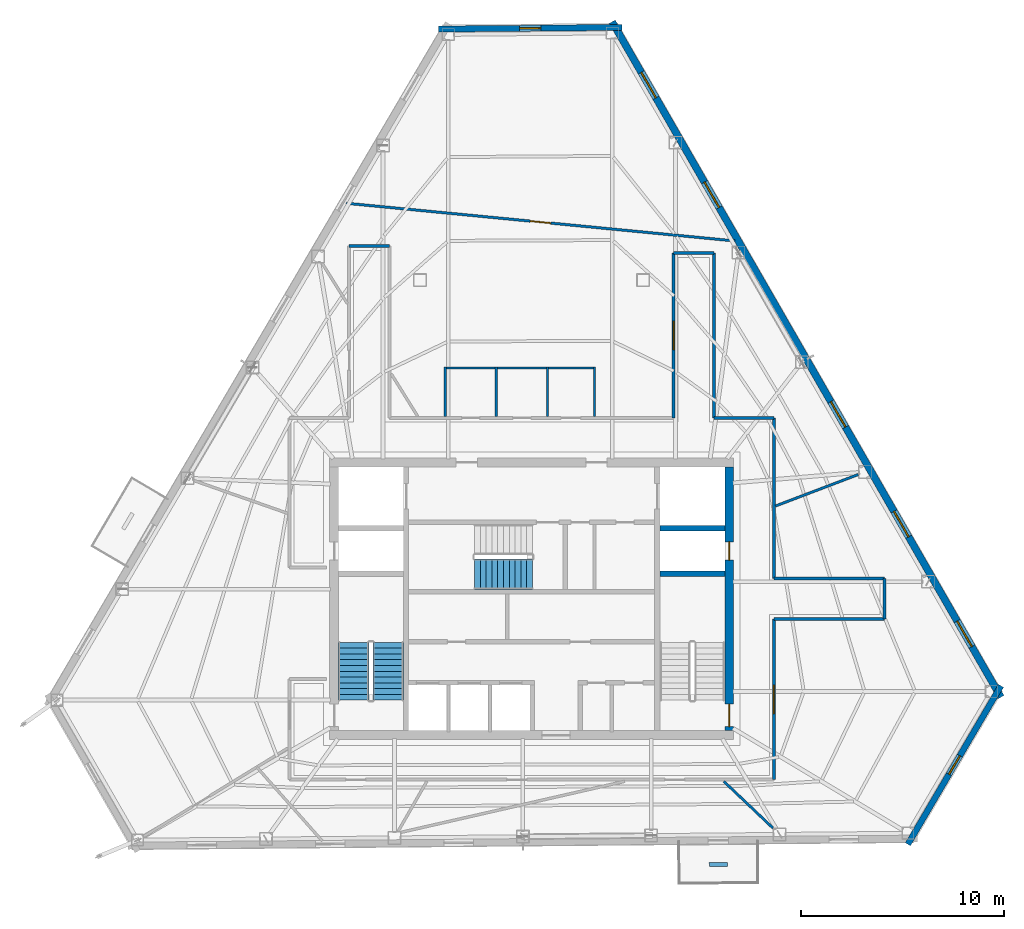
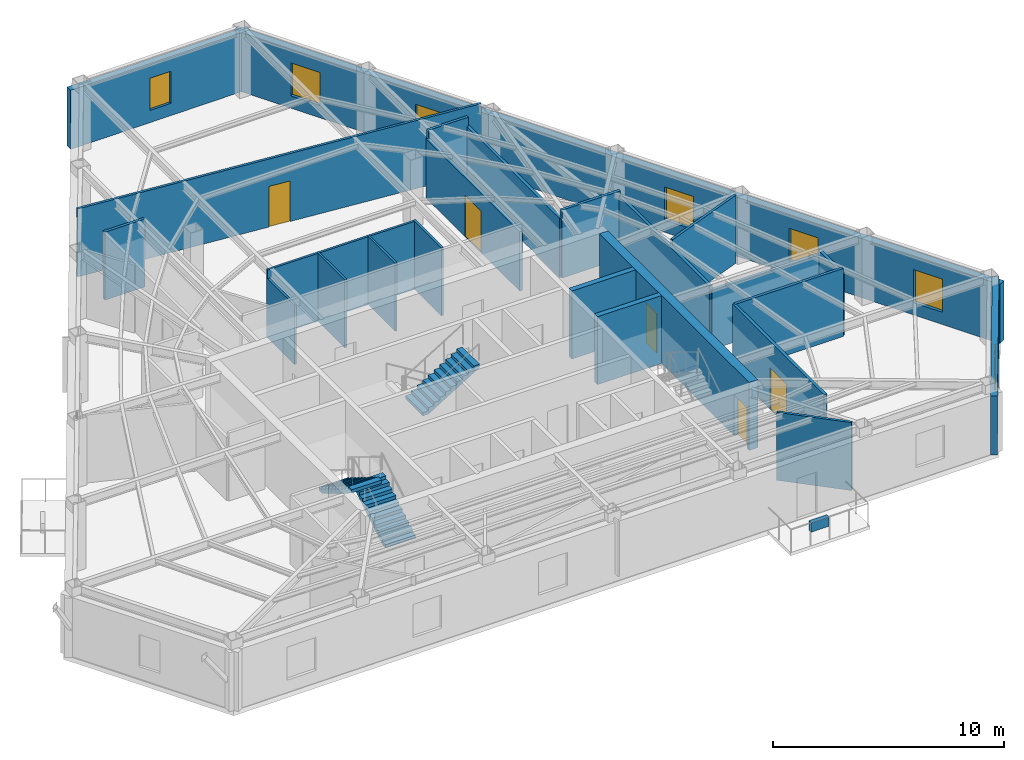
# One storey, part 10 of 14: 25 walls, 7 windows, 5 doors, 3 stair flights, 12 openings, 2 elements without a shape of their own.
"""IFC4 building model written with IfcOpenShell, lengths in metres."""

from ifc_helpers import new_model, si_unit, direction, frame, frame_2d, origin, place, context, subcontext, project, spatial, polyline, rectangle, outline, extrude, material, layer, layer_set, type_object, element, fill, aggregate, save


model = new_model("IFC4")

# Units and contexts
model_context = context("Model", 3, precision=1e-05, world=origin(), true_north=direction((0.0, 1.0)))
body_context = subcontext(model_context, "Body", "Model", "MODEL_VIEW")
ifc_project = project(units=[si_unit("LENGTHUNIT", "METRE"), si_unit("AREAUNIT", "SQUARE_METRE"), si_unit("VOLUMEUNIT", "CUBIC_METRE"), si_unit("PLANEANGLEUNIT", "RADIAN"), si_unit("MASSUNIT", "GRAM", prefix="KILO")], contexts=[model_context])

# Site, building, storey
site_placement = place(None, origin())
site = spatial("IfcSite", under=ifc_project, at=site_placement, CompositionType="ELEMENT")
building_placement = place(site_placement, origin())
building = spatial("IfcBuilding", under=site, at=building_placement, Name="Kavelnor Concourse Tower", CompositionType="ELEMENT")
storey_placement = place(building_placement, frame((0.0, 0.0, 215.050048828125)))
storey = spatial("IfcBuildingStorey", under=building, at=storey_placement, Name="L54", CompositionType="ELEMENT", Elevation=215.050048828125)

# Wall, openings, doors
ifc_material_1 = material(Name="Concrete C50/60", Category="concrete")
ifc_layer_1 = layer(ifc_material_1, 0.43994140625, Name="Concrete C50/60")
ifc_layer_set_1 = layer_set([ifc_layer_1], Name="Concrete C50/60")
wall_type_1 = type_object("IfcWallType", Name="WL-CORE-Z3-440", PredefinedType="SOLIDWALL", material=ifc_layer_set_1)
wall_1_placement = place(storey_placement, frame((47.739990234375, 9.60009765625, 0.0), z_axis=(0.0, 0.0, 1.0), x_axis=(0.0, 1.0, 0.0)))
wall_1 = element("IfcWall", 1, at=wall_1_placement, inside=storey, type_object=wall_type_1, Name="L54 Central Core East Shear Wall", PredefinedType="SOLIDWALL", context=body_context, shape_type="SweptSolid", body=[
    extrude(rectangle(XDim=13.0, YDim=0.43994140625, at=frame_2d((6.5, 0.0))), origin(), (0.0, 0.0, 1.0), 3.599853515625),
])
opening_1_placement = place(wall_1_placement, frame((0.199951171875, 0.0, 0.0)))
opening_1 = element("IfcOpeningElement", 2, at=opening_1_placement, cuts=wall_1, Name="Opening FD-110", PredefinedType="OPENING", context=body_context, shape_type="SweptSolid", body=[
    extrude(rectangle(XDim=1.10009765625, YDim=2.14990234375, at=frame_2d((0.550048828125, 1.074951171875))), frame((0.0, 0.22998046875, 0.0), z_axis=(0.0, -1.0, 0.0), x_axis=(1.0, 0.0, 0.0)), (0.0, 0.0, 1.0), 0.4599609375),
])
opening_2_placement = place(wall_1_placement, frame((8.39990234375, 0.0, 0.0)))
opening_2 = element("IfcOpeningElement", 3, at=opening_2_placement, cuts=wall_1, Name="Opening FD-090", PredefinedType="OPENING", context=body_context, shape_type="SweptSolid", body=[
    extrude(rectangle(XDim=0.89990234375, YDim=2.10009765625, at=frame_2d((0.449951171875, 1.050048828125))), frame((0.0, 0.22998046875, 0.0), z_axis=(0.0, -1.0, 0.0), x_axis=(1.0, 0.0, 0.0)), (0.0, 0.0, 1.0), 0.4599609375),
])
ifc_material_2 = material(Name="Steel Grade 350", Category="steel")
door_type_1 = type_object("IfcDoorType", Name="DR-RISER-FIRE-900", OperationType="NOTDEFINED", PredefinedType="DOOR", material=ifc_material_2)
door_1_placement = place(opening_2_placement, origin())
door_1 = element("IfcDoor", 4, at=door_1_placement, inside=storey, type_object=door_type_1, Name="L54 East Riser Access Door", OperationType="SINGLE_SWING_LEFT", OverallHeight=2.10009765625, OverallWidth=0.89990234375, PredefinedType="DOOR", context=body_context, shape_type="SweptSolid", body=[
    extrude(rectangle(XDim=0.89990234375, YDim=2.10009765625, at=frame_2d((0.449951171875, 1.050048828125))), frame((0.0, 0.02490234375, 0.0), z_axis=(0.0, -1.0, 0.0), x_axis=(1.0, 0.0, 0.0)), (0.0, 0.0, 1.0), 0.050048828125),
])
fill(opening_2, door_1)
door_type_2 = type_object("IfcDoorType", Name="DR-STAIR-FIRE-1100", OperationType="NOTDEFINED", PredefinedType="DOOR", material=ifc_material_2)
door_2_placement = place(opening_1_placement, origin())
door_2 = element("IfcDoor", 5, at=door_2_placement, inside=storey, type_object=door_type_2, Name="L54 Stair ST2 Fire Door", OperationType="SINGLE_SWING_RIGHT", OverallHeight=2.14990234375, OverallWidth=1.10009765625, PredefinedType="DOOR", context=body_context, shape_type="SweptSolid", body=[
    extrude(rectangle(XDim=1.10009765625, YDim=2.14990234375, at=frame_2d((0.550048828125, 1.074951171875))), frame((0.0, 0.02490234375, 0.0), z_axis=(0.0, -1.0, 0.0), x_axis=(1.0, 0.0, 0.0)), (0.0, 0.0, 1.0), 0.050048828125),
])
fill(opening_1, door_2)

# Wall, opening, window
ifc_material_3 = material(Name="Buff ironspot clay face brick masonry", Category="masonry")
ifc_layer_2 = layer(ifc_material_3, 0.300048828125, Name="Buff ironspot clay face brick masonry")
ifc_layer_set_2 = layer_set([ifc_layer_2], Name="Buff ironspot clay face brick masonry")
wall_type_2 = type_object("IfcWallType", Name="WL-EXT-BUFF-BRICK-FOLD-300", PredefinedType="STANDARD", material=ifc_layer_set_2)
wall_2_placement = place(storey_placement, frame((33.416015625, 44.182373046875, 0.0), z_axis=(0.0, 0.0, 1.0), x_axis=(0.99995953746, 0.008995745785, 0.0)))
wall_2 = element("IfcWall", 6, at=wall_2_placement, inside=storey, type_object=wall_type_2, Name="L54 Exterior Brick Facade Wall E0", PredefinedType="STANDARD", context=body_context, shape_type="SweptSolid", body=[
    extrude(rectangle(XDim=9.037353515625, YDim=0.300048828125, at=frame_2d((4.5185546875, 0.0))), origin(), (0.0, 0.0, 1.0), 3.1318359375),
])
opening_3_placement = place(wall_2_placement, frame((3.99365234375, 0.0, 0.64990234375)))
opening_3 = element("IfcOpeningElement", 7, at=opening_3_placement, cuts=wall_2, Name="Opening W-06", PredefinedType="OPENING", context=body_context, shape_type="SweptSolid", body=[
    extrude(rectangle(XDim=1.050048828125, YDim=1.699951171875, at=frame_2d((0.52490234375, 0.85009765625))), frame((0.0, 0.16015625, 0.0), z_axis=(0.0, -1.0, 0.0), x_axis=(1.0, 0.0, 0.0)), (0.0, 0.0, 1.0), 0.320068359375),
])
ifc_material_4 = material(Name="Double low-E argon insulated glazing", Category="glass")
window_type_1 = type_object("IfcWindowType", Name="WIN-FOLD-1050", PartitioningType="SINGLE_PANEL", PredefinedType="WINDOW", material=ifc_material_4)
window_1_placement = place(opening_3_placement, origin())
window_1 = element("IfcWindow", 8, at=window_1_placement, inside=storey, type_object=window_type_1, Name="L54 Chamfer-Fold Facet Window C0", OverallHeight=1.699951171875, OverallWidth=1.050048828125, PartitioningType="SINGLE_PANEL", PredefinedType="WINDOW", context=body_context, shape_type="SweptSolid", body=[
    extrude(rectangle(XDim=1.050048828125, YDim=1.699951171875, at=frame_2d((0.52490234375, 0.85009765625))), frame((0.0, 0.030029296875, 0.0), z_axis=(0.0, -1.0, 0.0), x_axis=(1.0, 0.0, 0.0)), (0.0, 0.0, 1.0), 0.06005859375),
])
fill(opening_3, window_1)

wall_3_placement = place(storey_placement, frame((61.13525390625, 11.806396484375, 0.0), z_axis=(0.0, 0.0, 1.0), x_axis=(-0.50666428223, -0.862143436507, 0.0)))
wall_3 = element("IfcWall", 9, at=wall_3_placement, inside=storey, type_object=wall_type_2, Name="L54 Exterior Brick Facade Wall E4", PredefinedType="STANDARD", context=body_context, shape_type="SweptSolid", body=[
    extrude(rectangle(XDim=9.05615234375, YDim=0.300048828125, at=frame_2d((4.528076171875, 0.0))), origin(), (0.0, 0.0, 1.0), 3.1318359375),
])
opening_4_placement = place(wall_3_placement, frame((4.003173828125, 0.0, 0.64990234375)))
opening_4 = element("IfcOpeningElement", 10, at=opening_4_placement, cuts=wall_3, Name="Opening W-06", PredefinedType="OPENING", context=body_context, shape_type="SweptSolid", body=[
    extrude(rectangle(XDim=1.050048828125, YDim=1.699951171875, at=frame_2d((0.52490234375, 0.85009765625))), frame((0.0, 0.16015625, 0.0), z_axis=(0.0, -1.0, 0.0), x_axis=(1.0, 0.0, 0.0)), (0.0, 0.0, 1.0), 0.320068359375),
])
window_2_placement = place(opening_4_placement, origin())
window_2 = element("IfcWindow", 11, at=window_2_placement, inside=storey, type_object=window_type_1, Name="L54 Chamfer-Fold Facet Window C2", OverallHeight=1.699951171875, OverallWidth=1.050048828125, PartitioningType="SINGLE_PANEL", PredefinedType="WINDOW", context=body_context, shape_type="SweptSolid", body=[
    extrude(rectangle(XDim=1.050048828125, YDim=1.699951171875, at=frame_2d((0.52490234375, 0.85009765625))), frame((0.0, 0.030029296875, 0.0), z_axis=(0.0, -1.0, 0.0), x_axis=(1.0, 0.0, 0.0)), (0.0, 0.0, 1.0), 0.06005859375),
])
fill(opening_4, window_2)

# Wall, openings, windows
ifc_material_5 = material(Name="Red-ochre clay face brick masonry", Category="masonry")
ifc_layer_3 = layer(ifc_material_5, 0.35009765625, Name="Red-ochre clay face brick masonry")
ifc_layer_set_3 = layer_set([ifc_layer_3], Name="Red-ochre clay face brick masonry")
wall_type_3 = type_object("IfcWallType", Name="WL-EXT-RED-BRICK-PIER-350", PredefinedType="STANDARD", material=ifc_layer_set_3)
wall_4_placement = place(storey_placement, frame((41.969482421875, 44.540283203125, 0.0), z_axis=(0.0, 0.0, 1.0), x_axis=(0.498884596562, -0.866668425243, 0.0)))
wall_4 = element("IfcWall", 12, at=wall_4_placement, inside=storey, type_object=wall_type_3, Name="L54 Exterior Brick Facade Wall E5", PredefinedType="STANDARD", context=body_context, shape_type="SweptSolid", body=[
    extrude(rectangle(XDim=38.412353515625, YDim=0.35009765625, at=frame_2d((19.2060546875, 0.0))), origin(), (0.0, 0.0, 1.0), 3.1318359375),
])
opening_5_placement = place(wall_4_placement, frame((34.087158203125, 0.0, 0.64990234375)))
opening_5 = element("IfcOpeningElement", 13, at=opening_5_placement, cuts=wall_4, Name="Opening W-03", PredefinedType="OPENING", context=body_context, shape_type="SweptSolid", body=[
    extrude(rectangle(XDim=1.449951171875, YDim=1.75, at=frame_2d((0.72509765625, 0.875))), frame((0.0, 0.18505859375, 0.0), z_axis=(0.0, -1.0, 0.0), x_axis=(1.0, 0.0, 0.0)), (0.0, 0.0, 1.0), 0.3701171875),
])
opening_6_placement = place(wall_4_placement, frame((27.844970703125, 0.0, 0.64990234375)))
opening_6 = element("IfcOpeningElement", 14, at=opening_6_placement, cuts=wall_4, Name="Opening W-03", PredefinedType="OPENING", context=body_context, shape_type="SweptSolid", body=[
    extrude(rectangle(XDim=1.449951171875, YDim=1.75, at=frame_2d((0.72509765625, 0.875))), frame((0.0, 0.18505859375, 0.0), z_axis=(0.0, -1.0, 0.0), x_axis=(1.0, 0.0, 0.0)), (0.0, 0.0, 1.0), 0.3701171875),
])
opening_7_placement = place(wall_4_placement, frame((21.602783203125, 0.0, 0.64990234375)))
opening_7 = element("IfcOpeningElement", 15, at=opening_7_placement, cuts=wall_4, Name="Opening W-03", PredefinedType="OPENING", context=body_context, shape_type="SweptSolid", body=[
    extrude(rectangle(XDim=1.449951171875, YDim=1.75, at=frame_2d((0.72509765625, 0.875))), frame((0.0, 0.18505859375, 0.0), z_axis=(0.0, -1.0, 0.0), x_axis=(1.0, 0.0, 0.0)), (0.0, 0.0, 1.0), 0.3701171875),
])
opening_8_placement = place(wall_4_placement, frame((9.11865234375, 0.0, 0.64990234375)))
opening_8 = element("IfcOpeningElement", 16, at=opening_8_placement, cuts=wall_4, Name="Opening W-03", PredefinedType="OPENING", context=body_context, shape_type="SweptSolid", body=[
    extrude(rectangle(XDim=1.449951171875, YDim=1.75, at=frame_2d((0.72509765625, 0.875))), frame((0.0, 0.18505859375, 0.0), z_axis=(0.0, -1.0, 0.0), x_axis=(1.0, 0.0, 0.0)), (0.0, 0.0, 1.0), 0.3701171875),
])
opening_9_placement = place(wall_4_placement, frame((2.87646484375, 0.0, 0.64990234375)))
opening_9 = element("IfcOpeningElement", 17, at=opening_9_placement, cuts=wall_4, Name="Opening W-03", PredefinedType="OPENING", context=body_context, shape_type="SweptSolid", body=[
    extrude(rectangle(XDim=1.449951171875, YDim=1.75, at=frame_2d((0.72509765625, 0.875))), frame((0.0, 0.18505859375, 0.0), z_axis=(0.0, -1.0, 0.0), x_axis=(1.0, 0.0, 0.0)), (0.0, 0.0, 1.0), 0.3701171875),
])
window_type_2 = type_object("IfcWindowType", Name="WIN-PIER-Z3-1500", PartitioningType="SINGLE_PANEL", PredefinedType="WINDOW", material=ifc_material_4)
window_3_placement = place(opening_5_placement, origin())
window_3 = element("IfcWindow", 18, at=window_3_placement, inside=storey, type_object=window_type_2, Name="L54 Deep-Set Brick Pier Window F2-B0", OverallHeight=1.75, OverallWidth=1.449951171875, PartitioningType="SINGLE_PANEL", PredefinedType="WINDOW", context=body_context, shape_type="SweptSolid", body=[
    extrude(rectangle(XDim=1.449951171875, YDim=1.75, at=frame_2d((0.72509765625, 0.875))), frame((0.0, 0.030029296875, 0.0), z_axis=(0.0, -1.0, 0.0), x_axis=(1.0, 0.0, 0.0)), (0.0, 0.0, 1.0), 0.06005859375),
])
fill(opening_5, window_3)
window_4_placement = place(opening_6_placement, origin())
window_4 = element("IfcWindow", 19, at=window_4_placement, inside=storey, type_object=window_type_2, Name="L54 Deep-Set Brick Pier Window F2-B1", OverallHeight=1.75, OverallWidth=1.449951171875, PartitioningType="SINGLE_PANEL", PredefinedType="WINDOW", context=body_context, shape_type="SweptSolid", body=[
    extrude(rectangle(XDim=1.449951171875, YDim=1.75, at=frame_2d((0.72509765625, 0.875))), frame((0.0, 0.030029296875, 0.0), z_axis=(0.0, -1.0, 0.0), x_axis=(1.0, 0.0, 0.0)), (0.0, 0.0, 1.0), 0.06005859375),
])
fill(opening_6, window_4)
window_5_placement = place(opening_7_placement, origin())
window_5 = element("IfcWindow", 20, at=window_5_placement, inside=storey, type_object=window_type_2, Name="L54 Deep-Set Brick Pier Window F2-B2", OverallHeight=1.75, OverallWidth=1.449951171875, PartitioningType="SINGLE_PANEL", PredefinedType="WINDOW", context=body_context, shape_type="SweptSolid", body=[
    extrude(rectangle(XDim=1.449951171875, YDim=1.75, at=frame_2d((0.72509765625, 0.875))), frame((0.0, 0.030029296875, 0.0), z_axis=(0.0, -1.0, 0.0), x_axis=(1.0, 0.0, 0.0)), (0.0, 0.0, 1.0), 0.06005859375),
])
fill(opening_7, window_5)
window_6_placement = place(opening_8_placement, origin())
window_6 = element("IfcWindow", 21, at=window_6_placement, inside=storey, type_object=window_type_2, Name="L54 Deep-Set Brick Pier Window F2-B4", OverallHeight=1.75, OverallWidth=1.449951171875, PartitioningType="SINGLE_PANEL", PredefinedType="WINDOW", context=body_context, shape_type="SweptSolid", body=[
    extrude(rectangle(XDim=1.449951171875, YDim=1.75, at=frame_2d((0.72509765625, 0.875))), frame((0.0, 0.030029296875, 0.0), z_axis=(0.0, -1.0, 0.0), x_axis=(1.0, 0.0, 0.0)), (0.0, 0.0, 1.0), 0.06005859375),
])
fill(opening_8, window_6)
window_7_placement = place(opening_9_placement, origin())
window_7 = element("IfcWindow", 22, at=window_7_placement, inside=storey, type_object=window_type_2, Name="L54 Deep-Set Brick Pier Window F2-B5", OverallHeight=1.75, OverallWidth=1.449951171875, PartitioningType="SINGLE_PANEL", PredefinedType="WINDOW", context=body_context, shape_type="SweptSolid", body=[
    extrude(rectangle(XDim=1.449951171875, YDim=1.75, at=frame_2d((0.72509765625, 0.875))), frame((0.0, 0.030029296875, 0.0), z_axis=(0.0, -1.0, 0.0), x_axis=(1.0, 0.0, 0.0)), (0.0, 0.0, 1.0), 0.06005859375),
])
fill(opening_9, window_7)

# Wall
ifc_material_6 = material(Name="Gypsum plasterboard on light-gauge steel studs", Category="steel")
ifc_layer_4 = layer(ifc_material_6, 0.14501953125, Name="Gypsum plasterboard on light-gauge steel studs")
ifc_layer_set_4 = layer_set([ifc_layer_4], Name="Gypsum plasterboard on light-gauge steel studs")
wall_type_4 = type_object("IfcWallType", Name="WL-INT-CORR-145", PredefinedType="PARTITIONING", material=ifc_layer_set_4)
wall_5_placement = place(storey_placement, frame((29.0, 33.49169921875, 0.0), z_axis=(0.0, 0.0, 1.0), x_axis=(1.0, 0.0, 0.0)))
element("IfcWall", 23, at=wall_5_placement, inside=storey, type_object=wall_type_4, Name="L54 Corridor Wall WL-L54-CR-05", PredefinedType="PARTITIONING", context=body_context, shape_type="SweptSolid", body=[
    extrude(rectangle(XDim=2.0, YDim=0.14501953125, at=frame_2d((1.0, 0.0))), origin(), (0.0, 0.0, 1.0), 3.599853515625),
])

# Wall, opening, door
wall_6_placement = place(storey_placement, frame((45.0, 25.02001953125, 0.0), z_axis=(0.0, 0.0, 1.0), x_axis=(0.0, 1.0, 0.0)))
wall_6 = element("IfcWall", 24, at=wall_6_placement, inside=storey, type_object=wall_type_4, Name="L54 Corridor Wall WL-L54-CR-08", PredefinedType="PARTITIONING", context=body_context, shape_type="SweptSolid", body=[
    extrude(rectangle(XDim=8.121826171875, YDim=0.14501953125, at=frame_2d((4.06103515625, 0.0))), origin(), (0.0, 0.0, 1.0), 3.140869140625),
])
opening_10_placement = place(wall_6_placement, frame((3.361083984375, 0.0, 0.0)))
opening_10 = element("IfcOpeningElement", 25, at=opening_10_placement, cuts=wall_6, Name="Opening SD-140", PredefinedType="OPENING", context=body_context, shape_type="SweptSolid", body=[
    extrude(rectangle(XDim=1.39990234375, YDim=2.199951171875, at=frame_2d((0.699951171875, 1.10009765625))), frame((0.0, 0.08251953125, 0.0), z_axis=(0.0, -1.0, 0.0), x_axis=(1.0, 0.0, 0.0)), (0.0, 0.0, 1.0), 0.1650390625),
])
ifc_material_7 = material(Name="Solid-core hardwood timber", Category="wood")
door_type_3 = type_object("IfcDoorType", Name="DR-SUITE-ENTRY-1400", OperationType="NOTDEFINED", PredefinedType="DOOR", material=ifc_material_7)
door_3_placement = place(opening_10_placement, origin())
door_3 = element("IfcDoor", 26, at=door_3_placement, inside=storey, type_object=door_type_3, Name="L54 Architectural Design Studio 01 Door", OperationType="SINGLE_SWING_RIGHT", OverallHeight=2.199951171875, OverallWidth=1.39990234375, PredefinedType="DOOR", context=body_context, shape_type="SweptSolid", body=[
    extrude(rectangle(XDim=1.39990234375, YDim=2.199951171875, at=frame_2d((0.699951171875, 1.10009765625))), frame((0.0, 0.02490234375, 0.0), z_axis=(0.0, -1.0, 0.0), x_axis=(1.0, 0.0, 0.0)), (0.0, 0.0, 1.0), 0.050048828125),
])
fill(opening_10, door_3)

# Walls
wall_7_placement = place(storey_placement, frame((45.0, 33.141845703125, 0.0), z_axis=(0.0, 0.0, 1.0), x_axis=(1.0, 0.0, 0.0)))
element("IfcWall", 27, at=wall_7_placement, inside=storey, type_object=wall_type_4, Name="L54 Corridor Wall WL-L54-CR-09", PredefinedType="PARTITIONING", context=body_context, shape_type="SweptSolid", body=[
    extrude(rectangle(XDim=2.0, YDim=0.14501953125, at=frame_2d((1.0, 0.0))), origin(), (0.0, 0.0, 1.0), 3.599853515625),
])
wall_8_placement = place(storey_placement, frame((47.0, 33.141845703125, 0.0), z_axis=(0.0, 0.0, 1.0), x_axis=(0.0, -1.0, 0.0)))
element("IfcWall", 28, at=wall_8_placement, inside=storey, type_object=wall_type_4, Name="L54 Corridor Wall WL-L54-CR-10", PredefinedType="PARTITIONING", context=body_context, shape_type="SweptSolid", body=[
    extrude(rectangle(XDim=8.121826171875, YDim=0.14501953125, at=frame_2d((4.06103515625, 0.0))), origin(), (0.0, 0.0, 1.0), 3.140869140625),
])
wall_9_placement = place(storey_placement, frame((47.0, 25.02001953125, 0.0), z_axis=(0.0, 0.0, 1.0), x_axis=(1.0, 0.0, 0.0)))
element("IfcWall", 29, at=wall_9_placement, inside=storey, type_object=wall_type_4, Name="L54 Corridor Wall WL-L54-CR-11", PredefinedType="PARTITIONING", context=body_context, shape_type="SweptSolid", body=[
    extrude(rectangle(XDim=2.93994140625, YDim=0.14501953125, at=frame_2d((1.469970703125, 0.0))), origin(), (0.0, 0.0, 1.0), 3.599853515625),
])
wall_10_placement = place(storey_placement, frame((49.93994140625, 25.02001953125, 0.0), z_axis=(0.0, 0.0, 1.0), x_axis=(0.0, -1.0, 0.0)))
element("IfcWall", 30, at=wall_10_placement, inside=storey, type_object=wall_type_4, Name="L54 Corridor Wall WL-L54-CR-12", PredefinedType="PARTITIONING", context=body_context, shape_type="SweptSolid", body=[
    extrude(rectangle(XDim=7.919921875, YDim=0.14501953125, at=frame_2d((3.9599609375, 0.0))), origin(), (0.0, 0.0, 1.0), 3.3388671875),
])
wall_11_placement = place(storey_placement, frame((49.93994140625, 17.10009765625, 0.0), z_axis=(0.0, 0.0, 1.0), x_axis=(1.0, 0.0, 0.0)))
element("IfcWall", 31, at=wall_11_placement, inside=storey, type_object=wall_type_4, Name="L54 Corridor Wall WL-L54-CR-13", PredefinedType="PARTITIONING", context=body_context, shape_type="SweptSolid", body=[
    extrude(rectangle(XDim=5.445556640625, YDim=0.14501953125, at=frame_2d((2.72265625, 0.0))), origin(), (0.0, 0.0, 1.0), 3.140869140625),
])
wall_12_placement = place(storey_placement, frame((55.385498046875, 17.10009765625, 0.0), z_axis=(0.0, 0.0, 1.0), x_axis=(0.0, -1.0, 0.0)))
element("IfcWall", 32, at=wall_12_placement, inside=storey, type_object=wall_type_4, Name="L54 Corridor Wall WL-L54-CR-14", PredefinedType="PARTITIONING", context=body_context, shape_type="SweptSolid", body=[
    extrude(rectangle(XDim=2.0, YDim=0.14501953125, at=frame_2d((1.0, 0.0))), origin(), (0.0, 0.0, 1.0), 3.3388671875),
])
wall_13_placement = place(storey_placement, frame((55.385498046875, 15.10009765625, 0.0), z_axis=(0.0, 0.0, 1.0), x_axis=(-1.0, 0.0, 0.0)))
element("IfcWall", 33, at=wall_13_placement, inside=storey, type_object=wall_type_4, Name="L54 Corridor Wall WL-L54-CR-15", PredefinedType="PARTITIONING", context=body_context, shape_type="SweptSolid", body=[
    extrude(rectangle(XDim=5.445556640625, YDim=0.14501953125, at=frame_2d((2.72265625, 0.0))), origin(), (0.0, 0.0, 1.0), 3.599853515625),
])

# Wall, opening, door
wall_14_placement = place(storey_placement, frame((49.93994140625, 15.10009765625, 0.0), z_axis=(0.0, 0.0, 1.0), x_axis=(0.0, -1.0, 0.0)))
wall_14 = element("IfcWall", 34, at=wall_14_placement, inside=storey, type_object=wall_type_4, Name="L54 Corridor Wall WL-L54-CR-16", PredefinedType="PARTITIONING", context=body_context, shape_type="SweptSolid", body=[
    extrude(rectangle(XDim=7.920166015625, YDim=0.14501953125, at=frame_2d((3.9599609375, 0.0))), origin(), (0.0, 0.0, 1.0), 3.599853515625),
])
opening_11_placement = place(wall_14_placement, frame((3.260009765625, 0.0, 0.0)))
opening_11 = element("IfcOpeningElement", 35, at=opening_11_placement, cuts=wall_14, Name="Opening SD-140", PredefinedType="OPENING", context=body_context, shape_type="SweptSolid", body=[
    extrude(rectangle(XDim=1.39990234375, YDim=2.199951171875, at=frame_2d((0.699951171875, 1.10009765625))), frame((0.0, 0.08251953125, 0.0), z_axis=(0.0, -1.0, 0.0), x_axis=(1.0, 0.0, 0.0)), (0.0, 0.0, 1.0), 0.1650390625),
])
door_4_placement = place(opening_11_placement, origin())
door_4 = element("IfcDoor", 36, at=door_4_placement, inside=storey, type_object=door_type_3, Name="L54 Architectural Design Studio 09 Door", OperationType="SINGLE_SWING_RIGHT", OverallHeight=2.199951171875, OverallWidth=1.39990234375, PredefinedType="DOOR", context=body_context, shape_type="SweptSolid", body=[
    extrude(rectangle(XDim=1.39990234375, YDim=2.199951171875, at=frame_2d((0.699951171875, 1.10009765625))), frame((0.0, 0.02490234375, 0.0), z_axis=(0.0, -1.0, 0.0), x_axis=(1.0, 0.0, 0.0)), (0.0, 0.0, 1.0), 0.050048828125),
])
fill(opening_11, door_4)

# Walls
ifc_layer_5 = layer(ifc_material_6, 0.125, Name="Gypsum plasterboard on light-gauge steel studs")
ifc_layer_set_5 = layer_set([ifc_layer_5], Name="Gypsum plasterboard on light-gauge steel studs")
wall_type_5 = type_object("IfcWallType", Name="WL-INT-SUITE-125", PredefinedType="PARTITIONING", material=ifc_layer_set_5)
wall_15_placement = place(storey_placement, frame((50.0205078125, 20.672119140625, 0.0), z_axis=(0.0, 0.0, 1.0), x_axis=(0.934674416755, 0.355504901039, 0.0)))
element("IfcWall", 37, at=wall_15_placement, inside=storey, type_object=wall_type_5, Name="L54 Radial Suite Partition 01", PredefinedType="PARTITIONING", context=body_context, shape_type="SweptSolid", body=[
    extrude(rectangle(XDim=4.368408203125, YDim=0.125, at=frame_2d((2.18408203125, 0.0))), origin(), (0.0, 0.0, 1.0), 3.599853515625),
])
wall_16_placement = place(storey_placement, frame((47.472412109375, 7.099609375, 0.0), z_axis=(0.0, 0.0, 1.0), x_axis=(0.724915551791, -0.688837747783, 0.0)))
element("IfcWall", 38, at=wall_16_placement, inside=storey, type_object=wall_type_5, Name="L54 Radial Suite Partition 06", PredefinedType="PARTITIONING", context=body_context, shape_type="SweptSolid", body=[
    extrude(rectangle(XDim=3.343017578125, YDim=0.125, at=frame_2d((1.67138671875, 0.0))), origin(), (0.0, 0.0, 1.0), 3.599853515625),
])

# Wall, opening, door
wall_17_placement = place(storey_placement, frame((48.015380859375, 33.736572265625, 0.0), z_axis=(0.0, 0.0, 1.0), x_axis=(-0.995325183531, 0.096580427779, 0.0)))
wall_17 = element("IfcWall", 39, at=wall_17_placement, inside=storey, type_object=wall_type_5, Name="L54 Suite Subdivision Partition 01", PredefinedType="PARTITIONING", context=body_context, shape_type="SweptSolid", body=[
    extrude(rectangle(XDim=19.244384765625, YDim=0.125, at=frame_2d((9.6220703125, 0.0))), origin(), (0.0, 0.0, 1.0), 3.599853515625),
])
opening_12_placement = place(wall_17_placement, frame((9.1123046875, 0.0, 0.0)))
opening_12 = element("IfcOpeningElement", 40, at=opening_12_placement, cuts=wall_17, Name="Opening MD-102", PredefinedType="OPENING", context=body_context, shape_type="SweptSolid", body=[
    extrude(rectangle(XDim=1.02001953125, YDim=2.14990234375, at=frame_2d((0.510009765625, 1.074951171875))), frame((0.0, 0.072509765625, 0.0), z_axis=(0.0, -1.0, 0.0), x_axis=(1.0, 0.0, 0.0)), (0.0, 0.0, 1.0), 0.14501953125),
])
ifc_material_8 = material(Name="Acoustic glazed timber frame", Category="wood")
door_type_4 = type_object("IfcDoorType", Name="DR-MEETING-1020", OperationType="NOTDEFINED", PredefinedType="DOOR", material=ifc_material_8)
door_5_placement = place(opening_12_placement, origin())
door_5 = element("IfcDoor", 41, at=door_5_placement, inside=storey, type_object=door_type_4, Name="L54 Client Boardroom 02 Door", OperationType="SINGLE_SWING_LEFT", OverallHeight=2.14990234375, OverallWidth=1.02001953125, PredefinedType="DOOR", context=body_context, shape_type="SweptSolid", body=[
    extrude(rectangle(XDim=1.02001953125, YDim=2.14990234375, at=frame_2d((0.510009765625, 1.074951171875))), frame((0.0, 0.02490234375, 0.0), z_axis=(0.0, -1.0, 0.0), x_axis=(1.0, 0.0, 0.0)), (0.0, 0.0, 1.0), 0.050048828125),
])
fill(opening_12, door_5)

# Walls
ifc_layer_6 = layer(ifc_material_6, 0.110107421875, Name="Gypsum plasterboard on light-gauge steel studs")
ifc_layer_set_6 = layer_set([ifc_layer_6], Name="Gypsum plasterboard on light-gauge steel studs")
wall_type_6 = type_object("IfcWallType", Name="WL-INT-WC-110", PredefinedType="PLUMBINGWALL", material=ifc_layer_set_6)
wall_18_placement = place(storey_placement, frame((33.739990234375, 25.090087890625, 0.0), z_axis=(0.0, 0.0, 1.0), x_axis=(0.0, 1.0, 0.0)))
element("IfcWall", 42, at=wall_18_placement, inside=storey, type_object=wall_type_6, Name="L54 Sanitary Partition WL-L54-WC-W", PredefinedType="PLUMBINGWALL", context=body_context, shape_type="SweptSolid", body=[
    extrude(rectangle(XDim=2.43994140625, YDim=0.110107421875, at=frame_2d((1.219970703125, 0.0))), origin(), (0.0, 0.0, 1.0), 3.140869140625),
])
for number, where, z_axis, x_axis, name in (
    (43, (36.260009765625, 25.090087890625, 0.0), (0.0, 0.0, 1.0), (0.0, 1.0, 0.0), "L54 Sanitary Partition WL-L54-WC-D1"),
    (44, (38.780029296875, 25.090087890625, 0.0), (0.0, 0.0, 1.0), (0.0, 1.0, 0.0), "L54 Sanitary Partition WL-L54-WC-D2"),
    (45, (41.10009765625, 25.090087890625, 0.0), (0.0, 0.0, 1.0), (0.0, 1.0, 0.0), "L54 Sanitary Partition WL-L54-WC-E"),
):
    element("IfcWall", number, at=place(storey_placement, frame(where, z_axis=z_axis, x_axis=x_axis)), inside=storey, type_object=wall_type_6, Name=name, PredefinedType="PLUMBINGWALL", context=body_context, shape_type="SweptSolid", body=[
        extrude(rectangle(XDim=2.43994140625, YDim=0.110107421875, at=frame_2d((1.219970703125, 0.0))), origin(), (0.0, 0.0, 1.0), 3.599853515625),
    ])
wall_19_placement = place(storey_placement, frame((33.68994140625, 27.469970703125, 0.0), z_axis=(0.0, 0.0, 1.0), x_axis=(1.0, 0.0, 0.0)))
element("IfcWall", 46, at=wall_19_placement, inside=storey, type_object=wall_type_6, Name="L54 Sanitary Partition WL-L54-WC-N", PredefinedType="PLUMBINGWALL", context=body_context, shape_type="SweptSolid", body=[
    extrude(rectangle(XDim=7.4599609375, YDim=0.110107421875, at=frame_2d((3.72998046875, 0.0))), origin(), (0.0, 0.0, 1.0), 3.599853515625),
])
ifc_material_9 = material(Name="Architectural precast planter concrete C40/50", Category="concrete")
ifc_layer_7 = layer(ifc_material_9, 0.18994140625, Name="Architectural precast planter concrete C40/50")
ifc_layer_set_7 = layer_set([ifc_layer_7], Name="Architectural precast planter concrete C40/50")
wall_type_7 = type_object("IfcWallType", Name="WL-PLANTER-KERB-190", PredefinedType="USERDEFINED", material=ifc_layer_set_7)
wall_20_placement = place(storey_placement, frame((46.756103515625, 2.9990234375, 0.0), z_axis=(0.0, 0.0, 1.0), x_axis=(0.999959926146, 0.008952435584, 0.0)))
element("IfcWall", 47, at=wall_20_placement, inside=storey, type_object=wall_type_7, Name="L54 Tree Balcony 2 Tree Planter Kerb", ObjectType="PLANTER", PredefinedType="USERDEFINED", context=body_context, shape_type="SweptSolid", body=[
    extrude(rectangle(XDim=0.89990234375, YDim=0.18994140625, at=frame_2d((0.449951171875, 0.0))), origin(), (0.0, 0.0, 1.0), 0.5),
])
ifc_layer_8 = layer(ifc_material_1, 0.260009765625, Name="Concrete C50/60")
ifc_layer_set_8 = layer_set([ifc_layer_8], Name="Concrete C50/60")
wall_type_8 = type_object("IfcWallType", Name="WL-SHAFT-260", PredefinedType="SHEAR", material=ifc_layer_set_8)
for number, where, z_axis, x_axis, name in (
    (48, (44.320068359375, 17.330078125, 0.0), (0.0, 0.0, 1.0), (1.0, 0.0, 0.0), "L54 Stair ST2 North Shaft Wall"),
    (49, (44.320068359375, 19.570068359375, 0.0), (0.0, 0.0, 1.0), (1.0, 0.0, 0.0), "L54 Emergency Lift FL2 South Shaft Wall"),
):
    element("IfcWall", number, at=place(storey_placement, frame(where, z_axis=z_axis, x_axis=x_axis)), inside=storey, type_object=wall_type_8, Name=name, PredefinedType="SHEAR", context=body_context, shape_type="SweptSolid", body=[
        extrude(rectangle(XDim=3.199951171875, YDim=0.260009765625, at=frame_2d((1.60009765625, 0.0))), origin(), (0.0, 0.0, 1.0), 3.599853515625),
    ])

# Stair, stair flights
ifc_material_10 = material(Name="Concrete C40/50", Category="concrete")
stair_type = type_object("IfcStairType", Name="STR-CORE-1500", PredefinedType="HALF_TURN_STAIR", material=ifc_material_10)
stair_1_placement = place(storey_placement, origin())
stair_1 = element("IfcStair", 50, at=stair_1_placement, inside=storey, type_object=stair_type, Name="L54 ST1", PredefinedType="HALF_TURN_STAIR")
stair_flight_type = type_object("IfcStairFlightType", Name="STR-FLIGHT-1500", PredefinedType="STRAIGHT", material=ifc_material_10)
stair_flight_1_placement = place(storey_placement, frame((30.929931640625, 11.10009765625, 0.0), z_axis=(0.0, 0.0, 1.0), x_axis=(0.0, 1.0, 0.0)))
stair_flight_1 = element("IfcStairFlight", 51, at=stair_flight_1_placement, type_object=stair_flight_type, Name="ST1 flight 1", NumberOfRisers=11, NumberOfTreads=10, PredefinedType="STRAIGHT", RiserHeight=0.175, TreadLength=0.285, context=body_context, shape_type="SweptSolid", body=[
    extrude(outline(polyline([(0.0, 0.0), (0.0, 0.175048828125), (0.284912109375, 0.175048828125), (0.284912109375, 0.35009765625), (0.570068359375, 0.35009765625), (0.570068359375, 0.52490234375), (0.85498046875, 0.52490234375), (0.85498046875, 0.699951171875), (1.139892578125, 0.699951171875), (1.139892578125, 0.875), (1.425048828125, 0.875), (1.425048828125, 1.050048828125), (1.7099609375, 1.050048828125), (1.7099609375, 1.22509765625), (1.9951171875, 1.22509765625), (1.9951171875, 1.39990234375), (2.280029296875, 1.39990234375), (2.280029296875, 1.574951171875), (2.56494140625, 1.574951171875), (2.56494140625, 1.75), (2.85009765625, 1.75), (2.85009765625, 1.925048828125), (2.85009765625, 1.573974609375), (0.286376953125, 0.0), (0.0, 0.0)])), frame((0.0, 0.75, 0.0), z_axis=(0.0, -1.0, 0.0), x_axis=(1.0, 0.0, 0.0)), (0.0, 0.0, 1.0), 1.5),
])
stair_flight_2_placement = place(storey_placement, frame((29.22998046875, 13.949951171875, 1.925048828125), z_axis=(0.0, 0.0, 1.0), x_axis=(0.0, -1.0, 0.0)))
stair_flight_2 = element("IfcStairFlight", 52, at=stair_flight_2_placement, type_object=stair_flight_type, Name="ST1 flight 2", NumberOfRisers=11, NumberOfTreads=10, PredefinedType="STRAIGHT", RiserHeight=0.175, TreadLength=0.285, context=body_context, shape_type="SweptSolid", body=[
    extrude(outline(polyline([(0.0, 0.0), (0.0, 0.175048828125), (0.284912109375, 0.175048828125), (0.284912109375, 0.35009765625), (0.570068359375, 0.35009765625), (0.570068359375, 0.52490234375), (0.85498046875, 0.52490234375), (0.85498046875, 0.699951171875), (1.139892578125, 0.699951171875), (1.139892578125, 0.875), (1.425048828125, 0.875), (1.425048828125, 1.050048828125), (1.7099609375, 1.050048828125), (1.7099609375, 1.22509765625), (1.9951171875, 1.22509765625), (1.9951171875, 1.39990234375), (2.280029296875, 1.39990234375), (2.280029296875, 1.574951171875), (2.56494140625, 1.574951171875), (2.56494140625, 1.75), (2.85009765625, 1.75), (2.85009765625, 1.925048828125), (2.85009765625, 1.573974609375), (0.286376953125, 0.0), (0.0, 0.0)])), frame((0.0, 0.75, 0.0), z_axis=(0.0, -1.0, 0.0), x_axis=(1.0, 0.0, 0.0)), (0.0, 0.0, 1.0), 1.5),
])
aggregate(stair_1, [stair_flight_1, stair_flight_2])

# Stair, stair flight
stair_2_placement = place(storey_placement, origin())
stair_2 = element("IfcStair", 53, at=stair_2_placement, inside=storey, type_object=stair_type, Name="L54 ST3", PredefinedType="HALF_TURN_STAIR")
stair_flight_3_placement = place(storey_placement, frame((35.18994140625, 17.31005859375, 1.925048828125), z_axis=(0.0, 0.0, 1.0), x_axis=(1.0, 0.0, 0.0)))
stair_flight_3 = element("IfcStairFlight", 54, at=stair_flight_3_placement, type_object=stair_flight_type, Name="ST3 flight 2", NumberOfRisers=11, NumberOfTreads=10, PredefinedType="STRAIGHT", RiserHeight=0.175, TreadLength=0.285, context=body_context, shape_type="SweptSolid", body=[
    extrude(outline(polyline([(0.0, 0.0), (0.0, 0.175048828125), (0.284912109375, 0.175048828125), (0.284912109375, 0.35009765625), (0.570068359375, 0.35009765625), (0.570068359375, 0.52490234375), (0.85498046875, 0.52490234375), (0.85498046875, 0.699951171875), (1.139892578125, 0.699951171875), (1.139892578125, 0.875), (1.425048828125, 0.875), (1.425048828125, 1.050048828125), (1.7099609375, 1.050048828125), (1.7099609375, 1.22509765625), (1.9951171875, 1.22509765625), (1.9951171875, 1.39990234375), (2.280029296875, 1.39990234375), (2.280029296875, 1.574951171875), (2.56494140625, 1.574951171875), (2.56494140625, 1.75), (2.85009765625, 1.75), (2.85009765625, 1.925048828125), (2.85009765625, 1.573974609375), (0.286376953125, 0.0), (0.0, 0.0)])), frame((0.0, 0.75, 0.0), z_axis=(0.0, -1.0, 0.0), x_axis=(1.0, 0.0, 0.0)), (0.0, 0.0, 1.0), 1.5),
])
aggregate(stair_2, [stair_flight_3])

save(model, "model.ifc")
